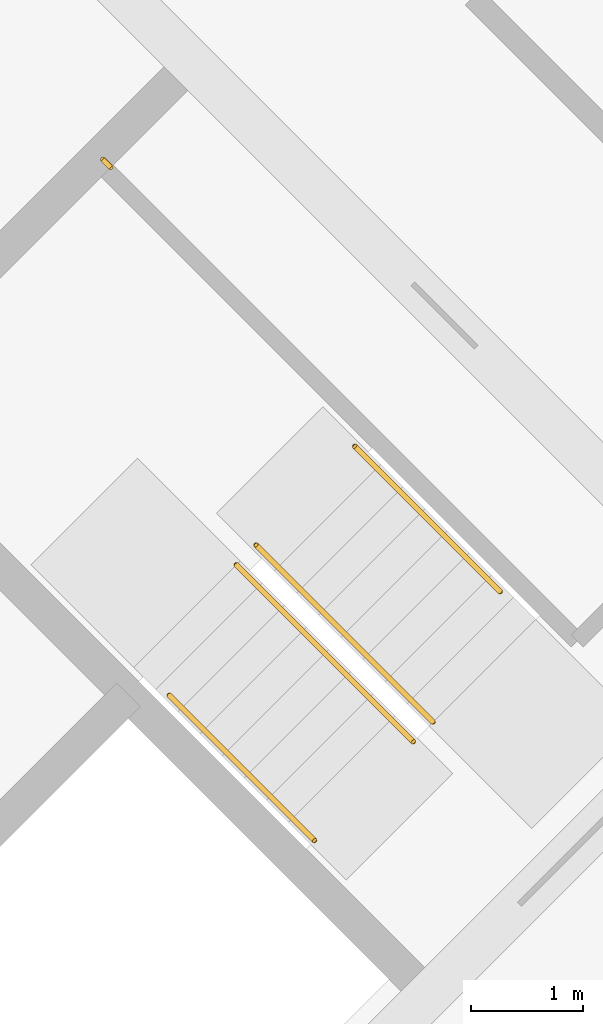
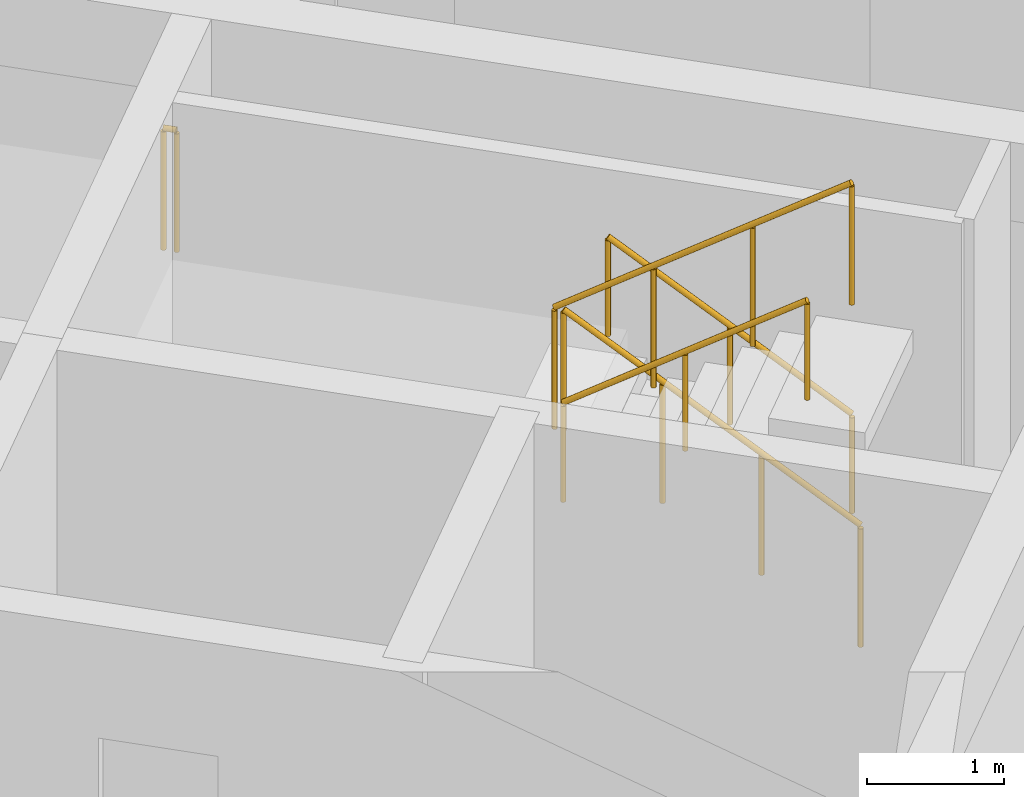
# One storey, part 12 of 12: 5 railings.
"""IFC4 building model written with IfcOpenShell, lengths in metres."""

import ifcopenshell
import ifcopenshell.guid

model = None  # the IFC model being written
_history = None  # IfcOwnerHistory: only IFC2X3 demands one
_inside = {}  # id of a spatial element -> (the spatial element, [elements in it])
_under = {}  # id of a project, library or spatial element -> (it, [spatial elements below it])
_declared = {}  # id of a project -> (the project, [libraries it declares])
_typed = {}  # id of a type object -> (the type object, [elements of that type])
_made_of = {}  # id of a material, layer set ... -> (it, [elements and type objects made of it])


def new_model(schema):
    """Start an empty IFC model of exactly this schema.

    Asked for "IFC4X3", IfcOpenShell would pick the latest addendum, in which some entities
    have other attributes; the version numbers below select the first issue.
    IFC2X3 requires an IfcOwnerHistory on every rooted entity: one is made here for all.
    """
    global model, _history
    if schema == "IFC4X3":
        model = ifcopenshell.file(schema_version=(4, 3, 0, 0))
    else:
        model = ifcopenshell.file(schema=schema)
    _inside.clear()
    _under.clear()
    _declared.clear()
    _typed.clear()
    _made_of.clear()
    _history = None
    if model.schema == "IFC2X3":
        org = make("IfcOrganization", Name="unknown")
        user = make(
            "IfcPersonAndOrganization",
            ThePerson=make("IfcPerson", FamilyName="unknown"),
            TheOrganization=org,
        )
        app = make(
            "IfcApplication",
            ApplicationDeveloper=org,
            Version="unknown",
            ApplicationFullName="unknown",
            ApplicationIdentifier="unknown",
        )
        _history = make(
            "IfcOwnerHistory",
            OwningUser=user,
            OwningApplication=app,
            ChangeAction="ADDED",
            CreationDate=0,
        )
    return model


def make(cls, **values):
    """One entity of the class cls with the attributes given. An attribute that is None is left unset."""
    return model.create_entity(
        cls, **{name: value for name, value in values.items() if value is not None}
    )


def rooted(cls, **values):
    """An entity with a GlobalId (a new one), such as an element, a storey or a relation."""
    return make(cls, GlobalId=ifcopenshell.guid.new(), OwnerHistory=_history, **values)


def si_unit(unit_type, name, prefix=None):
    """IfcSIUnit, for example si_unit("LENGTHUNIT", "METRE", prefix="MILLI")."""
    return make("IfcSIUnit", UnitType=unit_type, Prefix=prefix, Name=name)


def assignment(units):
    """IfcUnitAssignment: the units of a project."""
    return None if units is None else make("IfcUnitAssignment", Units=units)


def point(xyz):
    """IfcCartesianPoint."""
    return None if xyz is None else make("IfcCartesianPoint", Coordinates=xyz)


def direction(xyz):
    """IfcDirection."""
    return None if xyz is None else make("IfcDirection", DirectionRatios=xyz)


def frame(location, z_axis=None, x_axis=None):
    """IfcAxis2Placement3D, a coordinate frame: its origin and axes. An axis left out is left unset."""
    return make(
        "IfcAxis2Placement3D",
        Location=point(location),
        Axis=direction(z_axis),
        RefDirection=direction(x_axis),
    )


def frame_2d(location, x_axis=None):
    """IfcAxis2Placement2D, a coordinate frame in the plane: its origin and x axis."""
    return make(
        "IfcAxis2Placement2D", Location=point(location), RefDirection=direction(x_axis)
    )


def origin():
    """The frame at (0, 0, 0) with its axes left unset."""
    return frame((0.0, 0.0, 0.0))


def origin_2d():
    """The frame at (0, 0) in the plane with its x axis left unset."""
    return frame_2d((0.0, 0.0))


def place(relative_to, where):
    """IfcLocalPlacement: puts the frame where relative to a parent placement (None: the world)."""
    return make(
        "IfcLocalPlacement", PlacementRelTo=relative_to, RelativePlacement=where
    )


def context(
    kind, dimensions, precision=None, world=None, true_north=None, identifier=None
):
    """IfcGeometricRepresentationContext, for example the 3D "Model" context."""
    return make(
        "IfcGeometricRepresentationContext",
        ContextIdentifier=identifier,
        ContextType=kind,
        CoordinateSpaceDimension=dimensions,
        Precision=precision,
        WorldCoordinateSystem=world,
        TrueNorth=true_north,
    )


def subcontext(parent, identifier, kind, view, scale=None):
    """IfcGeometricRepresentationSubContext, for example "Body" below "Model"."""
    return make(
        "IfcGeometricRepresentationSubContext",
        ContextIdentifier=identifier,
        ContextType=kind,
        ParentContext=parent,
        TargetScale=scale,
        TargetView=view,
    )


def project(units=None, contexts=None):
    """IfcProject with its units and contexts."""
    return rooted(
        "IfcProject",
        Name="project",
        RepresentationContexts=contexts,
        UnitsInContext=assignment(units),
    )


def spatial(cls, under=None, at=None, **own):
    """A site, building, storey or space (cls), placed at a placement, below another one or the project."""
    s = rooted(cls, ObjectPlacement=at, **own)
    if under is not None:
        _under.setdefault(under.id(), (under, []))[1].append(s)
    return s


def profile(cls, at=None, kind="AREA", **sizes):
    """A parametric profile (cls). Its sizes go by their IFC names, for example OverallWidth=200.0."""
    return make(cls, ProfileType=kind, Position=at, **sizes)


def circle(**sizes):
    """IfcCircleProfileDef."""
    return profile("IfcCircleProfileDef", **sizes)


def extrude(swept, where, along, depth):
    """IfcExtrudedAreaSolid: the profile swept, set in the frame where, extruded along a direction by depth."""
    return make(
        "IfcExtrudedAreaSolid",
        SweptArea=swept,
        Position=where,
        ExtrudedDirection=direction(along),
        Depth=depth,
    )


def shape(context_of_items, identifier, shape_type, items):
    """IfcShapeRepresentation: the items that make up one representation, for example the "Body"."""
    return make(
        "IfcShapeRepresentation",
        ContextOfItems=context_of_items,
        RepresentationIdentifier=identifier,
        RepresentationType=shape_type,
        Items=items,
    )


def material(Name=None, Category=None):
    """IfcMaterial."""
    return make("IfcMaterial", Name=Name, Category=Category)


def made_of(thing, what):
    """Note that an element or type object is made of a material, layer set ...; save() writes the relation."""
    if what is not None:
        _made_of.setdefault(what.id(), (what, []))[1].append(thing)
    return thing


def type_object(cls, material=None, **own):
    """A type object (cls), such as IfcWallType, which elements share."""
    return made_of(rooted(cls, **own), material)


def element(
    cls,
    number,
    at=None,
    inside=None,
    cuts=None,
    type_object=None,
    material=None,
    context=None,
    identifier="Body",
    shape_type=None,
    held_by="IfcProductDefinitionShape",
    body=None,
    shapes=None,
    **own,
):
    """One element of the class cls, such as IfcWall. Its Tag is "e" and its number.

    at: its placement. inside: the storey or other place that contains it. cuts: it is an
    opening in that element (IfcRelVoidsElement). A single representation is given by context,
    identifier, shape_type and body (its items); several are given by shapes. held_by: the class
    of the entity that holds the representations. save() writes the other relations.
    """
    e = rooted(cls, Tag="e%d" % number, ObjectPlacement=at, **own)
    if body is not None:
        shapes = [shape(context, identifier, shape_type, body)]
    if shapes is not None:
        e.Representation = make(held_by, Representations=shapes)
    if inside is not None:
        _inside.setdefault(inside.id(), (inside, []))[1].append(e)
    if cuts is not None:
        rooted(
            "IfcRelVoidsElement", RelatingBuildingElement=cuts, RelatedOpeningElement=e
        )
    if type_object is not None:
        _typed.setdefault(type_object.id(), (type_object, []))[1].append(e)
    return made_of(e, material)


def aggregate(whole, parts):
    """IfcRelAggregates: a whole, such as a stair, and the parts it consists of."""
    return rooted("IfcRelAggregates", RelatingObject=whole, RelatedObjects=parts)


def save(model, path):
    """Write the relations noted so far, then the file.

    IfcRelAggregates (storeys below a building ...), IfcRelContainedInSpatialStructure (elements
    in a storey), IfcRelDefinesByType, IfcRelAssociatesMaterial and IfcRelDeclares: one each for
    every whole, place, type object, material and project.
    """
    for whole, parts in _under.values():
        aggregate(whole, parts)
    for where, things in _inside.values():
        rooted(
            "IfcRelContainedInSpatialStructure",
            RelatedElements=things,
            RelatingStructure=where,
        )
    for kind, things in _typed.values():
        rooted("IfcRelDefinesByType", RelatedObjects=things, RelatingType=kind)
    for what, things in _made_of.values():
        rooted("IfcRelAssociatesMaterial", RelatedObjects=things, RelatingMaterial=what)
    for by, libraries in _declared.values():
        rooted("IfcRelDeclares", RelatingContext=by, RelatedDefinitions=libraries)
    model.write(path)


model = new_model("IFC4")

# Units and contexts
model_context = context("Model", 3, precision=1e-05, world=origin(), true_north=direction((0.0, 1.0)))
body_context = subcontext(model_context, "Body", "Model", "MODEL_VIEW")
ifc_project = project(units=[si_unit("LENGTHUNIT", "METRE"), si_unit("AREAUNIT", "SQUARE_METRE"), si_unit("VOLUMEUNIT", "CUBIC_METRE"), si_unit("PLANEANGLEUNIT", "RADIAN"), si_unit("MASSUNIT", "GRAM", prefix="KILO")], contexts=[model_context])

# Site, building, storey
site_placement = place(None, origin())
site = spatial("IfcSite", under=ifc_project, at=site_placement, CompositionType="ELEMENT")
building_placement = place(site_placement, origin())
building = spatial("IfcBuilding", under=site, at=building_placement, Name="Windrow Commons", CompositionType="ELEMENT")
storey_placement = place(building_placement, frame((0.0, 0.0, 267.6)))
storey = spatial("IfcBuildingStorey", under=building, at=storey_placement, Name="L73", CompositionType="ELEMENT", Elevation=267.6)

# Railings
ifc_material_1 = material(Name="Steel S355", Category="steel")
railing_type_1 = type_object("IfcRailingType", Name="Core stair guard 1100", PredefinedType="GUARDRAIL", material=ifc_material_1)
railing_1_placement = place(storey_placement, frame((94.2296, 48.4215, 0.1889)))
element("IfcRailing", 1, at=railing_1_placement, inside=storey, type_object=railing_type_1, Name="L73 ST-B2 stair guard 1", PredefinedType="GUARDRAIL", context=body_context, shape_type="SweptSolid", body=[
    extrude(circle(Radius=0.024, at=origin_2d()), frame((0.0, 0.0, 1.076), z_axis=(-0.5862157828, 0.5861787742, 0.5592365337), x_axis=(-0.7070844598, -0.7071291018, 0.0)), (0.0, 0.0, 1.0), 2.7021),
    extrude(circle(Radius=0.021, at=origin_2d()), origin(), (0.0, 0.0, 1.0), 1.052),
    extrude(circle(Radius=0.021, at=origin_2d()), frame((-0.528, 0.528, 0.5037)), (0.0, 0.0, 1.0), 1.052),
    extrude(circle(Radius=0.021, at=origin_2d()), frame((-1.056, 1.0559, 1.0074)), (0.0, 0.0, 1.0), 1.052),
    extrude(circle(Radius=0.021, at=origin_2d()), frame((-1.584, 1.5839, 1.5111)), (0.0, 0.0, 1.0), 1.052),
])
railing_2_placement = place(storey_placement, frame((92.4689, 49.8287, 1.8889)))
element("IfcRailing", 2, at=railing_2_placement, inside=storey, type_object=railing_type_1, Name="L73 ST-B2 stair guard 2", PredefinedType="GUARDRAIL", context=body_context, shape_type="SweptSolid", body=[
    extrude(circle(Radius=0.024, at=origin_2d()), frame((0.0, 0.0, 1.076), z_axis=(0.5861787742, -0.5862157828, 0.5592365337), x_axis=(0.7071291018, 0.7070844598, 0.0)), (0.0, 0.0, 1.0), 2.7021),
    extrude(circle(Radius=0.021, at=origin_2d()), origin(), (0.0, 0.0, 1.0), 1.052),
    extrude(circle(Radius=0.021, at=origin_2d()), frame((0.528, -0.528, 0.5037)), (0.0, 0.0, 1.0), 1.052),
    extrude(circle(Radius=0.021, at=origin_2d()), frame((1.0559, -1.056, 1.0074)), (0.0, 0.0, 1.0), 1.052),
    extrude(circle(Radius=0.021, at=origin_2d()), frame((1.5839, -1.584, 1.5111)), (0.0, 0.0, 1.0), 1.052),
])
railing_3_placement = place(storey_placement, frame((91.3446, 53.3854, 1.7)))
element("IfcRailing", 3, at=railing_3_placement, inside=storey, type_object=railing_type_1, Name="L73 ST-B2 stair guard 3", PredefinedType="GUARDRAIL", context=body_context, shape_type="SweptSolid", body=[
    extrude(circle(Radius=0.024, at=origin_2d()), frame((0.0, 0.0, 1.076), z_axis=(-0.7076063266, 0.7066068826, 0.0), x_axis=(-0.7066068826, -0.7076063266, 0.0)), (0.0, 0.0, 1.0), 0.1001),
    extrude(circle(Radius=0.021, at=origin_2d()), origin(), (0.0, 0.0, 1.0), 1.052),
    extrude(circle(Radius=0.021, at=origin_2d()), frame((-0.0708, 0.0707, 0.0)), (0.0, 0.0, 1.0), 1.052),
])
ifc_material_2 = material(Name="Steel S355", Category="steel")
railing_type_2 = type_object("IfcRailingType", Name="Core stair handrail 900", PredefinedType="HANDRAIL", material=ifc_material_2)
railing_4_placement = place(storey_placement, frame((94.8306, 49.5883, 0.4587)))
element("IfcRailing", 4, at=railing_4_placement, inside=storey, type_object=railing_type_2, Name="L73 ST-B2 stair handrail 1", PredefinedType="HANDRAIL", context=body_context, shape_type="SweptSolid", body=[
    extrude(circle(Radius=0.024, at=origin_2d()), frame((0.0, 0.0, 0.876), z_axis=(-0.586206706, 0.5861616513, 0.5592639952), x_axis=(-0.7070796062, -0.7071339551, 0.0)), (0.0, 0.0, 1.0), 2.2195),
    extrude(circle(Radius=0.021, at=origin_2d()), origin(), (0.0, 0.0, 1.0), 0.852),
    extrude(circle(Radius=0.021, at=origin_2d()), frame((-0.6506, 0.6505, 0.6207)), (0.0, 0.0, 1.0), 0.852),
    extrude(circle(Radius=0.021, at=origin_2d()), frame((-1.3011, 1.301, 1.2413)), (0.0, 0.0, 1.0), 0.852),
])
railing_5_placement = place(storey_placement, frame((91.8678, 48.6619, 2.1587)))
element("IfcRailing", 5, at=railing_5_placement, inside=storey, type_object=railing_type_2, Name="L73 ST-B2 stair handrail 2", PredefinedType="HANDRAIL", context=body_context, shape_type="SweptSolid", body=[
    extrude(circle(Radius=0.024, at=origin_2d()), frame((0.0, 0.0, 0.876), z_axis=(0.586206706, -0.5861616513, 0.5592639952), x_axis=(0.7070796062, 0.7071339551, 0.0)), (0.0, 0.0, 1.0), 2.2195),
    extrude(circle(Radius=0.021, at=origin_2d()), origin(), (0.0, 0.0, 1.0), 0.852),
    extrude(circle(Radius=0.021, at=origin_2d()), frame((0.6505, -0.6505, 0.6207)), (0.0, 0.0, 1.0), 0.852),
    extrude(circle(Radius=0.021, at=origin_2d()), frame((1.3011, -1.301, 1.2413)), (0.0, 0.0, 1.0), 0.852),
])

save(model, "model.ifc")
